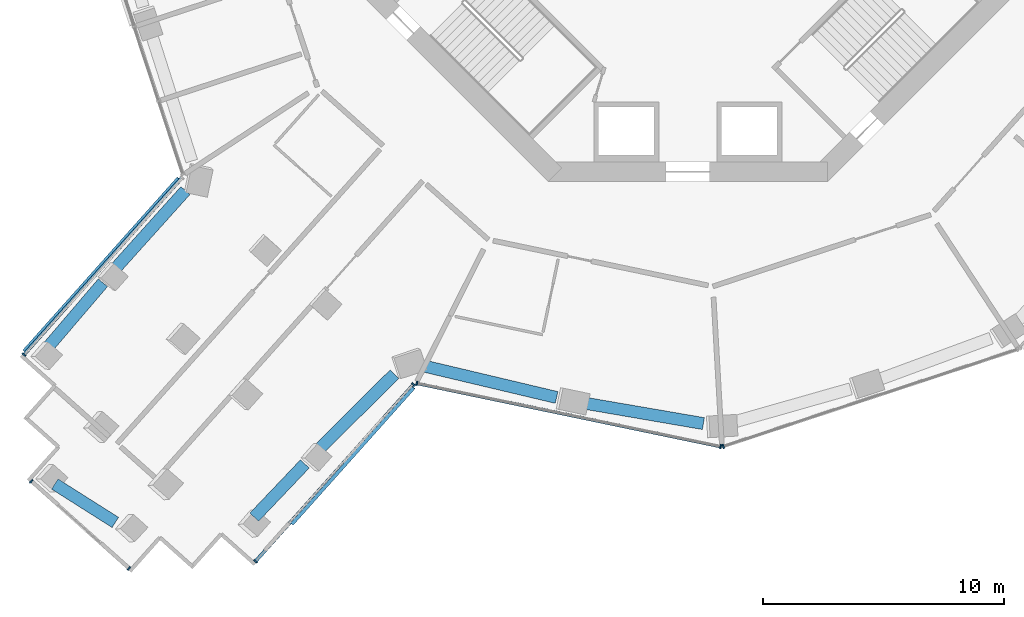
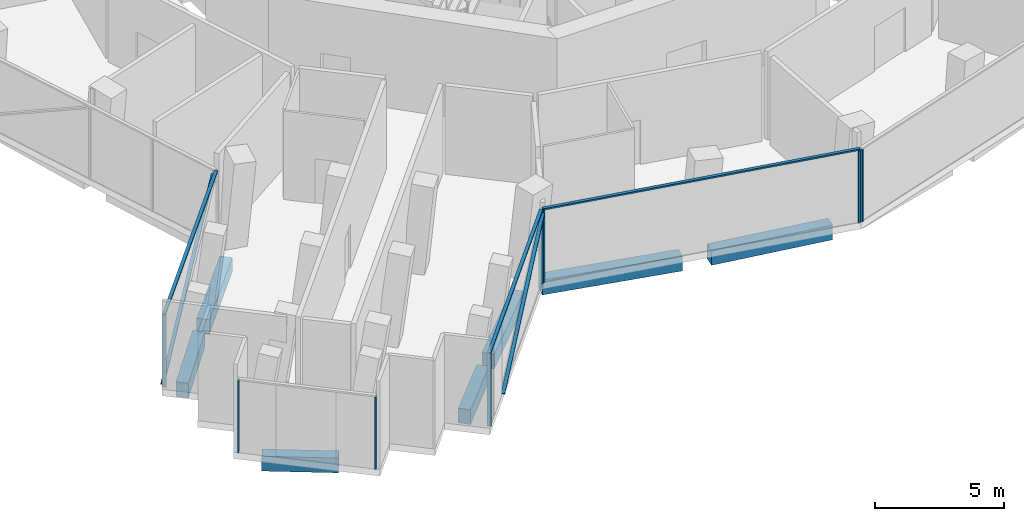
# One storey, part 2 of 21: 13 members, 7 beams, 5 elements without a shape of their own.
"""IFC4 building model written with IfcOpenShell, lengths in metres."""

from ifc_helpers import new_model, si_unit, direction, frame, origin, origin_2d, place, context, subcontext, project, spatial, rectangle, extrude, material, layer, layer_set, material_profile, profile_set, type_object, element, aggregate, save


model = new_model("IFC4")

# Units and contexts
model_context = context("Model", 3, precision=1e-05, world=origin(), true_north=direction((0.0, 1.0)))
body_context = subcontext(model_context, "Body", "Model", "MODEL_VIEW")
ifc_project = project(units=[si_unit("LENGTHUNIT", "METRE"), si_unit("AREAUNIT", "SQUARE_METRE"), si_unit("VOLUMEUNIT", "CUBIC_METRE"), si_unit("PLANEANGLEUNIT", "RADIAN"), si_unit("MASSUNIT", "GRAM", prefix="KILO")], contexts=[model_context])

# Site, building, storey
site_placement = place(None, origin())
site = spatial("IfcSite", under=ifc_project, at=site_placement, CompositionType="ELEMENT")
building_placement = place(site_placement, origin())
building = spatial("IfcBuilding", under=site, at=building_placement, Name="Verdalira Terraces Hotel", CompositionType="ELEMENT")
storey_placement = place(building_placement, frame((0.0, 0.0, 107.0)))
storey = spatial("IfcBuildingStorey", under=building, at=storey_placement, Name="L25", CompositionType="ELEMENT", Elevation=107.0)

# Curtain wall, member
ifc_material_1 = material(Name="Clear glass", Category="glass")
ifc_layer = layer(ifc_material_1, 0.179931640625)
ifc_layer_set = layer_set([ifc_layer], Name="CW4 curtain wall")
curtain_wall_type = type_object("IfcCurtainWallType", Name="CW4 curtain wall", PredefinedType="NOTDEFINED", material=ifc_layer_set)
curtain_wall_1_placement = place(storey_placement, origin())
curtain_wall_1 = element("IfcCurtainWall", 1, at=curtain_wall_1_placement, inside=storey, type_object=curtain_wall_type, Name="CW4 curtain wall L25 edge 14", PredefinedType="NOTDEFINED")
ifc_material_2 = material(Name="Terracotta frame", Category="masonry")
ifc_material_profile_1 = material_profile(ifc_material_2, rectangle(XDim=0.064941, YDim=0.179932, at=origin_2d()), Name="MU 65x180")
ifc_profile_set_1 = profile_set([ifc_material_profile_1], Name="Terracotta frame")
member_type_1 = type_object("IfcMemberType", Name="CW4 mullion 65x180", PredefinedType="MULLION", material=ifc_profile_set_1)
member_1_placement = place(storey_placement, frame((-27.548828, -21.185547, 0.0), z_axis=(0.0, 0.0, 1.0), x_axis=(-0.666011867, -0.745941145, 0.0)))
member_1 = element("IfcMember", 2, at=member_1_placement, type_object=member_type_1, Name="CW4 mullion", PredefinedType="MULLION", context=body_context, shape_type="SweptSolid", body=[
    extrude(rectangle(XDim=0.064941, YDim=0.179932, at=origin_2d()), origin(), (0.0, 0.0, 1.0), 3.419922),
])

# Curtain wall, members
curtain_wall_2_placement = place(storey_placement, origin())
curtain_wall_2 = element("IfcCurtainWall", 3, at=curtain_wall_2_placement, inside=storey, type_object=curtain_wall_type, Name="CW4 curtain wall L25 edge 19", PredefinedType="NOTDEFINED")
member_2_placement = place(storey_placement, frame((-27.251221, -26.441406, 0.0), z_axis=(0.0, 0.0, 1.0), x_axis=(0.745941145, -0.666011867, 0.0)))
member_2 = element("IfcMember", 4, at=member_2_placement, type_object=member_type_1, Name="CW4 mullion", PredefinedType="MULLION", context=body_context, shape_type="SweptSolid", body=[
    extrude(rectangle(XDim=0.064941, YDim=0.179932, at=origin_2d()), origin(), (0.0, 0.0, 1.0), 3.419922),
])
member_3_placement = place(storey_placement, frame((-23.197021, -30.061279, 0.0), z_axis=(0.0, 0.0, 1.0), x_axis=(0.745941145, -0.666011867, 0.0)))
member_3 = element("IfcMember", 5, at=member_3_placement, type_object=member_type_1, Name="CW4 mullion", PredefinedType="MULLION", context=body_context, shape_type="SweptSolid", body=[
    extrude(rectangle(XDim=0.064941, YDim=0.179932, at=origin_2d()), origin(), (0.0, 0.0, 1.0), 3.419922),
])
aggregate(curtain_wall_2, [member_2, member_3])

curtain_wall_3_placement = place(storey_placement, origin())
curtain_wall_3 = element("IfcCurtainWall", 6, at=curtain_wall_3_placement, inside=storey, type_object=curtain_wall_type, Name="CW4 curtain wall L25 edge 24", PredefinedType="NOTDEFINED")
member_4_placement = place(storey_placement, frame((-17.941162, -29.763672, 0.0), z_axis=(0.0, 0.0, 1.0), x_axis=(0.666011867, 0.745941145, 0.0)))
member_4 = element("IfcMember", 7, at=member_4_placement, type_object=member_type_1, Name="CW4 mullion", PredefinedType="MULLION", context=body_context, shape_type="SweptSolid", body=[
    extrude(rectangle(XDim=0.064941, YDim=0.179932, at=origin_2d()), origin(), (0.0, 0.0, 1.0), 3.419922),
])
member_5_placement = place(storey_placement, frame((-11.385742, -22.421631, 0.0), z_axis=(0.0, 0.0, 1.0), x_axis=(0.666011867, 0.745941145, 0.0)))
member_5 = element("IfcMember", 8, at=member_5_placement, type_object=member_type_1, Name="CW4 mullion", PredefinedType="MULLION", context=body_context, shape_type="SweptSolid", body=[
    extrude(rectangle(XDim=0.064941, YDim=0.179932, at=origin_2d()), origin(), (0.0, 0.0, 1.0), 3.419922),
])

curtain_wall_4_placement = place(storey_placement, origin())
curtain_wall_4 = element("IfcCurtainWall", 9, at=curtain_wall_4_placement, inside=storey, type_object=curtain_wall_type, Name="CW4 curtain wall L25 edge 25", PredefinedType="NOTDEFINED")
member_6_placement = place(storey_placement, frame((-11.246826, -22.375732, 0.0), z_axis=(0.0, 0.0, 1.0), x_axis=(0.979009915, -0.203812624, 0.0)))
member_6 = element("IfcMember", 10, at=member_6_placement, type_object=member_type_1, Name="CW4 mullion", PredefinedType="MULLION", context=body_context, shape_type="SweptSolid", body=[
    extrude(rectangle(XDim=0.064941, YDim=0.179932, at=origin_2d()), origin(), (0.0, 0.0, 1.0), 3.419922),
])
member_7_placement = place(storey_placement, frame((1.360352, -25.000488, 0.0), z_axis=(0.0, 0.0, 1.0), x_axis=(0.979009915, -0.203812624, 0.0)))
member_7 = element("IfcMember", 11, at=member_7_placement, type_object=member_type_1, Name="CW4 mullion", PredefinedType="MULLION", context=body_context, shape_type="SweptSolid", body=[
    extrude(rectangle(XDim=0.064941, YDim=0.179932, at=origin_2d()), origin(), (0.0, 0.0, 1.0), 3.419922),
])

# Curtain wall, member
curtain_wall_5_placement = place(storey_placement, origin())
curtain_wall_5 = element("IfcCurtainWall", 12, at=curtain_wall_5_placement, inside=storey, type_object=curtain_wall_type, Name="CW4 curtain wall L25 edge 26", PredefinedType="NOTDEFINED")
member_8_placement = place(storey_placement, frame((1.469727, -24.994141, 0.0), z_axis=(0.0, 0.0, 1.0), x_axis=(0.949753769, 0.312998048, 0.0)))
member_8 = element("IfcMember", 13, at=member_8_placement, type_object=member_type_1, Name="CW4 mullion", PredefinedType="MULLION", context=body_context, shape_type="SweptSolid", body=[
    extrude(rectangle(XDim=0.064941, YDim=0.179932, at=origin_2d()), origin(), (0.0, 0.0, 1.0), 3.419922),
])
aggregate(curtain_wall_5, [member_8])

# Member
ifc_material_3 = material(Name="Terracotta frame", Category="masonry")
ifc_material_profile_2 = material_profile(ifc_material_3, rectangle(XDim=0.139893, YDim=0.070068, at=origin_2d()), Name="TR 70x140")
ifc_profile_set_2 = profile_set([ifc_material_profile_2], Name="Terracotta frame")
member_type_2 = type_object("IfcMemberType", Name="CW4 transom 70x140", PredefinedType="USERDEFINED", material=ifc_profile_set_2)
member_9_placement = place(storey_placement, frame((-20.97168, -13.819092, 3.455078), z_axis=(-0.666021645, -0.745932415, 0.0), x_axis=(0.745932415, -0.666021645, 0.0)))
member_9 = element("IfcMember", 14, at=member_9_placement, type_object=member_type_2, Name="CW4 transom", ObjectType="TRANSOM", PredefinedType="USERDEFINED", context=body_context, shape_type="SweptSolid", body=[
    extrude(rectangle(XDim=0.139893, YDim=0.070068, at=origin_2d()), origin(), (0.0, 0.0, 1.0), 9.907959),
])

member_10_placement = place(storey_placement, frame((-17.962646, -29.788086, 3.455078), z_axis=(0.665995693, 0.745955587, 0.0), x_axis=(-0.745955587, 0.665995693, 0.0)))
member_10 = element("IfcMember", 15, at=member_10_placement, type_object=member_type_2, Name="CW4 transom", ObjectType="TRANSOM", PredefinedType="USERDEFINED", context=body_context, shape_type="SweptSolid", body=[
    extrude(rectangle(XDim=0.139893, YDim=0.070068, at=origin_2d()), origin(), (0.0, 0.0, 1.0), 9.907959),
])

member_11_placement = place(storey_placement, frame((-11.278564, -22.369141, 3.455078), z_axis=(0.979008658, -0.203818662, 0.0), x_axis=(0.203818662, 0.979008658, 0.0)))
member_11 = element("IfcMember", 16, at=member_11_placement, type_object=member_type_2, Name="CW4 transom", ObjectType="TRANSOM", PredefinedType="USERDEFINED", context=body_context, shape_type="SweptSolid", body=[
    extrude(rectangle(XDim=0.139893, YDim=0.070068, at=origin_2d()), origin(), (0.0, 0.0, 1.0), 12.942627),
])

aggregate(curtain_wall_4, [member_6, member_7, member_11])

ifc_material_4 = material(Name="Terracotta frame", Category="masonry")
ifc_material_profile_3 = material_profile(ifc_material_4, rectangle(XDim=0.149902, YDim=0.060059, at=origin_2d()), Name="GB 60x150")
ifc_profile_set_3 = profile_set([ifc_material_profile_3], Name="Terracotta frame")
member_type_3 = type_object("IfcMemberType", Name="Diagonal glazing bar 60x150", PredefinedType="USERDEFINED", material=ifc_profile_set_3)
member_12_placement = place(storey_placement, frame((-21.139648, -13.867432, 3.391113), z_axis=(-0.628651045, -0.704124654, -0.330161075), x_axis=(0.745954336, -0.665997094, 0.0)))
member_12 = element("IfcMember", 17, at=member_12_placement, type_object=member_type_3, Name="Diagonal glazing bar", ObjectType="GLAZING BAR", PredefinedType="USERDEFINED", context=body_context, shape_type="SweptSolid", body=[
    extrude(rectangle(XDim=0.149902, YDim=0.060059, at=origin_2d()), origin(), (0.0, 0.0, 1.0), 10.183105),
])

aggregate(curtain_wall_1, [member_1, member_9, member_12])

member_13_placement = place(storey_placement, frame((-16.425781, -28.206299, 0.02832), z_axis=(0.608700116, 0.681775941, 0.40579026), x_axis=(-0.7459531, 0.665998478, 0.0)))
member_13 = element("IfcMember", 18, at=member_13_placement, type_object=member_type_3, Name="Diagonal glazing bar", ObjectType="GLAZING BAR", PredefinedType="USERDEFINED", context=body_context, shape_type="SweptSolid", body=[
    extrude(rectangle(XDim=0.149902, YDim=0.060059, at=origin_2d()), origin(), (0.0, 0.0, 1.0), 8.288818),
])

aggregate(curtain_wall_3, [member_4, member_5, member_10, member_13])

# Beams
ifc_material_5 = material(Name="Concrete C70", Category="concrete")
ifc_material_profile_4 = material_profile(ifc_material_5, rectangle(XDim=0.5, YDim=0.699951, at=origin_2d()), Name="RC 500X700")
ifc_profile_set_4 = profile_set([ifc_material_profile_4], Name="Concrete C70")
beam_type = type_object("IfcBeamType", Name="Spandrel beam RC 500X700 C70", PredefinedType="SPANDREL", material=ifc_profile_set_4)
beam_1_placement = place(storey_placement, frame((-20.852295, -14.379395, -0.659912), z_axis=(-0.668467025, -0.743741781, 0.0), x_axis=(0.743741781, -0.668467025, 0.0)))
element("IfcBeam", 19, at=beam_1_placement, inside=storey, type_object=beam_type, Name="Spandrel beam B10", PredefinedType="SPANDREL", context=body_context, shape_type="SweptSolid", body=[
    extrude(rectangle(XDim=0.5, YDim=0.699951, at=origin_2d()), origin(), (0.0, 0.0, 1.0), 4.310303),
])
beam_2_placement = place(storey_placement, frame((-24.274414, -18.202393, -0.659912), z_axis=(-0.649607545, -0.760269713, 0.0), x_axis=(0.760269713, -0.649607545, 0.0)))
element("IfcBeam", 20, at=beam_2_placement, inside=storey, type_object=beam_type, Name="Spandrel beam B11", PredefinedType="SPANDREL", context=body_context, shape_type="SweptSolid", body=[
    extrude(rectangle(XDim=0.5, YDim=0.699951, at=origin_2d()), origin(), (0.0, 0.0, 1.0), 3.552002),
])
beam_3_placement = place(storey_placement, frame((-26.271484, -26.555908, -0.659912), z_axis=(0.844721336, -0.535206375, 0.0), x_axis=(0.535206375, 0.844721336, 0.0)))
element("IfcBeam", 21, at=beam_3_placement, inside=storey, type_object=beam_type, Name="Spandrel beam B12", PredefinedType="SPANDREL", context=body_context, shape_type="SweptSolid", body=[
    extrude(rectangle(XDim=0.5, YDim=0.699951, at=origin_2d()), origin(), (0.0, 0.0, 1.0), 2.973633),
])
beam_4_placement = place(storey_placement, frame((-17.997314, -27.929688, -0.659912), z_axis=(0.689403327, 0.7243777, 0.0), x_axis=(-0.7243777, 0.689403327, 0.0)))
element("IfcBeam", 22, at=beam_4_placement, inside=storey, type_object=beam_type, Name="Spandrel beam B13", PredefinedType="SPANDREL", context=body_context, shape_type="SweptSolid", body=[
    extrude(rectangle(XDim=0.5, YDim=0.699951, at=origin_2d()), origin(), (0.0, 0.0, 1.0), 3.050537),
])
beam_5_placement = place(storey_placement, frame((-15.320312, -25.131836, -0.659912), z_axis=(0.707546695, 0.706666593, 0.0), x_axis=(-0.706666593, 0.707546695, 0.0)))
element("IfcBeam", 23, at=beam_5_placement, inside=storey, type_object=beam_type, Name="Spandrel beam B14", PredefinedType="SPANDREL", context=body_context, shape_type="SweptSolid", body=[
    extrude(rectangle(XDim=0.5, YDim=0.699951, at=origin_2d()), origin(), (0.0, 0.0, 1.0), 4.438477),
])
beam_6_placement = place(storey_placement, frame((-10.967285, -21.654785, -0.659912), z_axis=(0.973027929, -0.230687342, 0.0), x_axis=(0.230687342, 0.973027929, 0.0)))
element("IfcBeam", 24, at=beam_6_placement, inside=storey, type_object=beam_type, Name="Spandrel beam B15", PredefinedType="SPANDREL", context=body_context, shape_type="SweptSolid", body=[
    extrude(rectangle(XDim=0.5, YDim=0.699951, at=origin_2d()), origin(), (0.0, 0.0, 1.0), 5.671631),
])
beam_7_placement = place(storey_placement, frame((-4.295654, -23.197998, -0.659912), z_axis=(0.985562863, -0.1693099, 0.0), x_axis=(0.1693099, 0.985562863, 0.0)))
element("IfcBeam", 25, at=beam_7_placement, inside=storey, type_object=beam_type, Name="Spandrel beam B16", PredefinedType="SPANDREL", context=body_context, shape_type="SweptSolid", body=[
    extrude(rectangle(XDim=0.5, YDim=0.699951, at=origin_2d()), origin(), (0.0, 0.0, 1.0), 5.012207),
])

save(model, "model.ifc")
